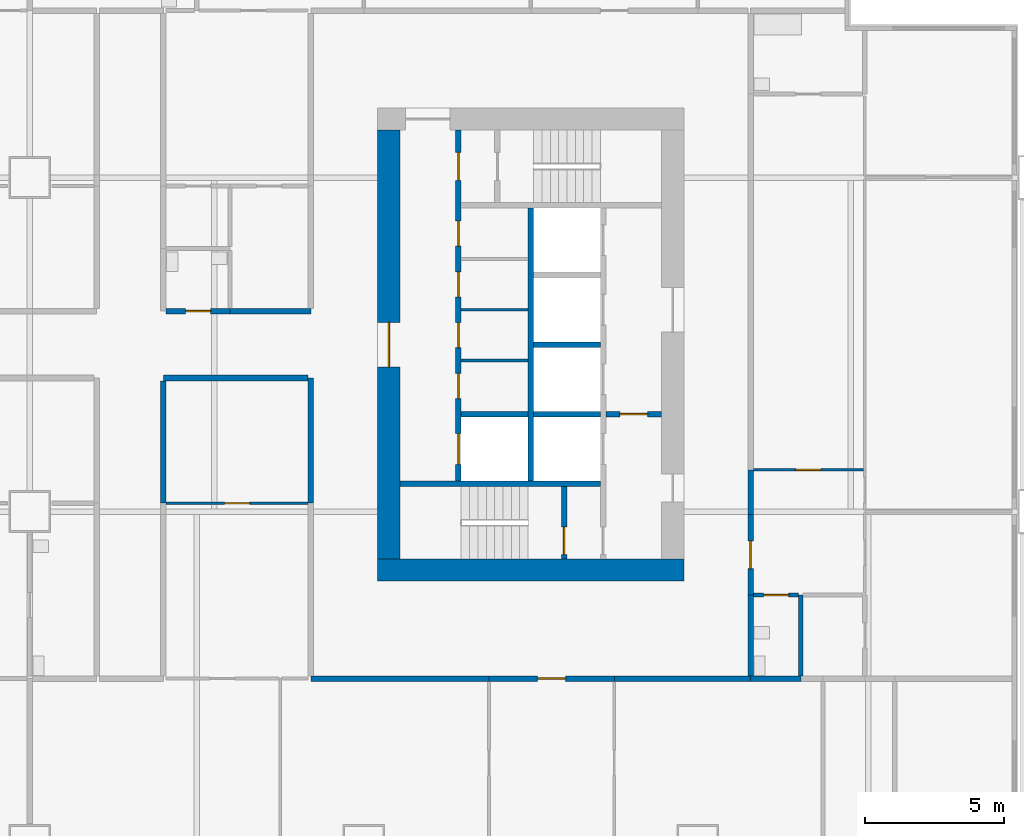
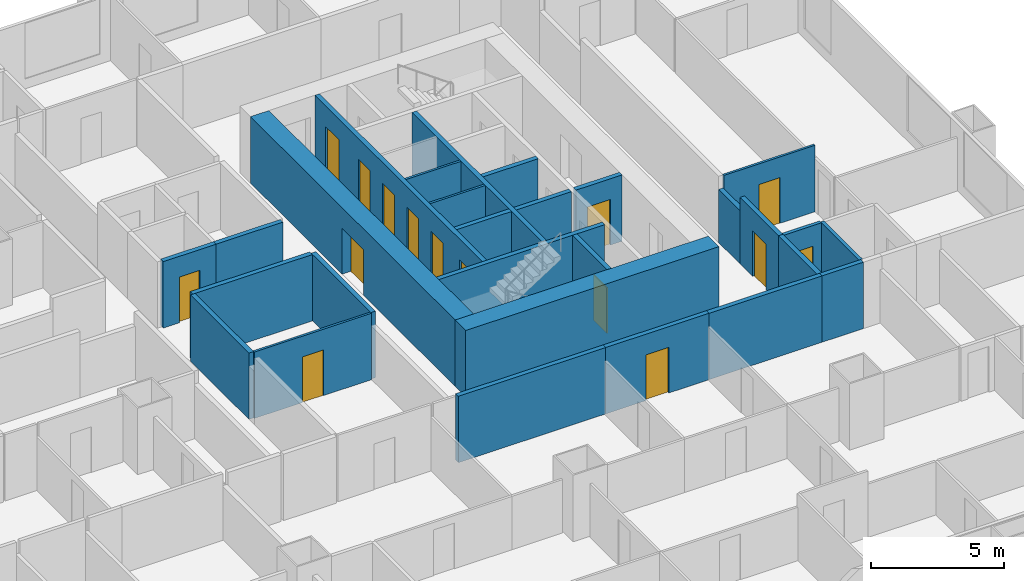
# One storey, part 6 of 13: 28 walls, 15 doors, 15 openings.
"""IFC4 building model written with IfcOpenShell, lengths in metres."""

from ifc_helpers import new_model, si_unit, direction, frame, frame_2d, origin, place, context, subcontext, project, spatial, rectangle, extrude, material, layer, layer_set, type_object, element, fill, save


model = new_model("IFC4")

# Units and contexts
model_context = context("Model", 3, precision=1e-05, world=origin(), true_north=direction((0.0, 1.0)))
body_context = subcontext(model_context, "Body", "Model", "MODEL_VIEW")
ifc_project = project(units=[si_unit("LENGTHUNIT", "METRE"), si_unit("AREAUNIT", "SQUARE_METRE"), si_unit("VOLUMEUNIT", "CUBIC_METRE"), si_unit("PLANEANGLEUNIT", "RADIAN"), si_unit("MASSUNIT", "GRAM", prefix="KILO")], contexts=[model_context])

# Site, building, storey
site_placement = place(None, origin())
site = spatial("IfcSite", under=ifc_project, at=site_placement, CompositionType="ELEMENT")
building_placement = place(site_placement, origin())
building = spatial("IfcBuilding", under=site, at=building_placement, Name="Kitamizu Gate Tower and Museum", CompositionType="ELEMENT")
storey_placement = place(building_placement, frame((0.0, 0.0, 78.300048828125)))
storey = spatial("IfcBuildingStorey", under=building, at=storey_placement, Name="L19", CompositionType="ELEMENT", Elevation=78.300048828125)

# Wall
ifc_material_1 = material(Name="Concrete Fc60", Category="concrete")
ifc_layer_1 = layer(ifc_material_1, 0.800048828125)
ifc_layer_set_1 = layer_set([ifc_layer_1], Name="Concrete Fc60")
wall_type_1 = type_object("IfcWallType", Name="Core wall 800", PredefinedType="SHEAR", material=ifc_layer_set_1)
wall_1_placement = place(storey_placement, frame((59.5, 21.89990234375, 0.0), z_axis=(0.0, 0.0, 1.0), x_axis=(-1.0, 0.0, 0.0)))
element("IfcWall", 1, at=wall_1_placement, inside=storey, type_object=wall_type_1, Name="Core wall ES", PredefinedType="SHEAR", context=body_context, shape_type="SweptSolid", body=[
    extrude(rectangle(XDim=11.0, YDim=0.800048828125, at=frame_2d((5.5, 0.0))), origin(), (0.0, 0.0, 1.0), 3.050048828125),
])

# Wall, opening, door
wall_2_placement = place(storey_placement, frame((48.89990234375, 22.300048828125, 0.0), z_axis=(0.0, 0.0, 1.0), x_axis=(0.0, 1.0, 0.0)))
wall_2 = element("IfcWall", 2, at=wall_2_placement, inside=storey, type_object=wall_type_1, Name="Core wall EARC", PredefinedType="SHEAR", context=body_context, shape_type="SweptSolid", body=[
    extrude(rectangle(XDim=15.39990234375, YDim=0.800048828125, at=frame_2d((7.699951171875, 0.0))), origin(), (0.0, 0.0, 1.0), 3.050048828125),
])
opening_1_placement = place(wall_2_placement, frame((6.89990234375, 0.0, 0.0)))
opening_1 = element("IfcOpeningElement", 3, at=opening_1_placement, cuts=wall_2, Name="Opening L19-092", PredefinedType="OPENING", context=body_context, shape_type="SweptSolid", body=[
    extrude(rectangle(XDim=1.60009765625, YDim=2.10009765625, at=frame_2d((0.800048828125, 1.050048828125))), frame((0.0, 0.41015625, 0.0), z_axis=(0.0, -1.0, 0.0), x_axis=(1.0, 0.0, 0.0)), (0.0, 0.0, 1.0), 0.820068359375),
])
ifc_material_2 = material(Name="Timber door set", Category="wood")
door_type_1 = type_object("IfcDoorType", Name="Entrance door 1600", OperationType="DOUBLE_DOOR_SINGLE_SWING", PredefinedType="DOOR", material=ifc_material_2)
door_1_placement = place(opening_1_placement, origin())
door_1 = element("IfcDoor", 4, at=door_1_placement, inside=storey, type_object=door_type_1, Name="Lobby door L19-092", OperationType="DOUBLE_DOOR_SINGLE_SWING", OverallHeight=2.10009765625, OverallWidth=1.60009765625, PredefinedType="DOOR", context=body_context, shape_type="SweptSolid", body=[
    extrude(rectangle(XDim=1.60009765625, YDim=2.10009765625, at=frame_2d((0.800048828125, 1.050048828125))), frame((0.0, 0.02490234375, 0.0), z_axis=(0.0, -1.0, 0.0), x_axis=(1.0, 0.0, 0.0)), (0.0, 0.0, 1.0), 0.050048828125),
])
fill(opening_1, door_1)

# Walls
ifc_material_3 = material(Name="Gypsum board on galvanised stud")
ifc_layer_2 = layer(ifc_material_3, 0.10009765625)
ifc_layer_set_2 = layer_set([ifc_layer_2], Name="Gypsum board on galvanised stud")
wall_type_2 = type_object("IfcWallType", Name="Partition 100", PredefinedType="PARTITIONING", material=ifc_layer_set_2)
for number, where, z_axis, x_axis, name in (
    (5, (53.89990234375, 29.425048828125, 0.0), (0.0, 0.0, 1.0), (-1.0, 0.0, 0.0), "Partition EPF1"),
    (6, (53.89990234375, 31.25, 0.0), (0.0, 0.0, 1.0), (-1.0, 0.0, 0.0), "Partition EPF2"),
):
    element("IfcWall", number, at=place(storey_placement, frame(where, z_axis=z_axis, x_axis=x_axis)), inside=storey, type_object=wall_type_2, Name=name, PredefinedType="PARTITIONING", context=body_context, shape_type="SweptSolid", body=[
        extrude(rectangle(XDim=2.39990234375, YDim=0.10009765625, at=frame_2d((1.199951171875, 0.0))), origin(), (0.0, 0.0, 1.0), 3.050048828125),
    ])

# Wall, opening, door
ifc_material_4 = material(Name="Gypsum board on galvanised stud")
ifc_layer_3 = layer(ifc_material_4, 0.10009765625)
ifc_layer_set_3 = layer_set([ifc_layer_3], Name="Gypsum board on galvanised stud")
wall_type_3 = type_object("IfcWallType", Name="Partition 100 NOT RATED", PredefinedType="PARTITIONING", material=ifc_layer_set_3)
wall_3_placement = place(storey_placement, frame((46.0, 24.300048828125, 0.0), z_axis=(0.0, 0.0, 1.0), x_axis=(-1.0, 0.0, 0.0)))
wall_3 = element("IfcWall", 7, at=wall_3_placement, inside=storey, type_object=wall_type_3, Name="Partition L19-113", PredefinedType="PARTITIONING", context=body_context, shape_type="SweptSolid", body=[
    extrude(rectangle(XDim=5.10009765625, YDim=0.10009765625, at=frame_2d((2.550048828125, 0.0))), origin(), (0.0, 0.0, 1.0), 3.050048828125),
])
opening_2_placement = place(wall_3_placement, frame((2.10009765625, 0.0, 0.0)))
opening_2 = element("IfcOpeningElement", 8, at=opening_2_placement, cuts=wall_3, Name="Opening L19-042", PredefinedType="OPENING", context=body_context, shape_type="SweptSolid", body=[
    extrude(rectangle(XDim=0.89990234375, YDim=2.10009765625, at=frame_2d((0.449951171875, 1.050048828125))), frame((0.0, 0.06005859375, 0.0), z_axis=(0.0, -1.0, 0.0), x_axis=(1.0, 0.0, 0.0)), (0.0, 0.0, 1.0), 0.1201171875),
])
ifc_material_5 = material(Name="Timber door set", Category="wood")
door_type_2 = type_object("IfcDoorType", Name="Room door 900", OperationType="NOTDEFINED", PredefinedType="DOOR", material=ifc_material_5)
door_2_placement = place(opening_2_placement, frame((0.89990234375, 0.0, 0.0), x_axis=(-1.0, 0.0, 0.0)))
door_2 = element("IfcDoor", 9, at=door_2_placement, inside=storey, type_object=door_type_2, Name="Door L19-042", OperationType="SINGLE_SWING_RIGHT", OverallHeight=2.10009765625, OverallWidth=0.89990234375, PredefinedType="DOOR", context=body_context, shape_type="SweptSolid", body=[
    extrude(rectangle(XDim=0.89990234375, YDim=2.10009765625, at=frame_2d((0.449951171875, 1.050048828125))), frame((0.0, 0.02490234375, 0.0), z_axis=(0.0, -1.0, 0.0), x_axis=(1.0, 0.0, 0.0)), (0.0, 0.0, 1.0), 0.050048828125),
])
fill(opening_2, door_2)

wall_4_placement = place(storey_placement, frame((65.949951171875, 25.5, 0.0), z_axis=(0.0, 0.0, 1.0), x_axis=(-1.0, 0.0, 0.0)))
wall_4 = element("IfcWall", 10, at=wall_4_placement, inside=storey, type_object=wall_type_3, Name="Partition L19-132", PredefinedType="PARTITIONING", context=body_context, shape_type="SweptSolid", body=[
    extrude(rectangle(XDim=3.949951171875, YDim=0.10009765625, at=frame_2d((1.97509765625, 0.0))), origin(), (0.0, 0.0, 1.0), 3.050048828125),
])
opening_3_placement = place(wall_4_placement, frame((1.52490234375, 0.0, 0.0)))
opening_3 = element("IfcOpeningElement", 11, at=opening_3_placement, cuts=wall_4, Name="Opening L19-046", PredefinedType="OPENING", context=body_context, shape_type="SweptSolid", body=[
    extrude(rectangle(XDim=0.89990234375, YDim=2.10009765625, at=frame_2d((0.449951171875, 1.050048828125))), frame((0.0, 0.06005859375, 0.0), z_axis=(0.0, -1.0, 0.0), x_axis=(1.0, 0.0, 0.0)), (0.0, 0.0, 1.0), 0.1201171875),
])
door_3_placement = place(opening_3_placement, origin())
door_3 = element("IfcDoor", 12, at=door_3_placement, inside=storey, type_object=door_type_2, Name="Door L19-046", OperationType="SINGLE_SWING_RIGHT", OverallHeight=2.10009765625, OverallWidth=0.89990234375, PredefinedType="DOOR", context=body_context, shape_type="SweptSolid", body=[
    extrude(rectangle(XDim=0.89990234375, YDim=2.10009765625, at=frame_2d((0.449951171875, 1.050048828125))), frame((0.0, 0.02490234375, 0.0), z_axis=(0.0, -1.0, 0.0), x_axis=(1.0, 0.0, 0.0)), (0.0, 0.0, 1.0), 0.050048828125),
])
fill(opening_3, door_3)

# Wall
ifc_material_6 = material(Name="Gypsum board on galvanised stud")
ifc_layer_4 = layer(ifc_material_6, 0.14990234375)
ifc_layer_set_4 = layer_set([ifc_layer_4], Name="Gypsum board on galvanised stud")
wall_type_4 = type_object("IfcWallType", Name="Partition 150", PredefinedType="PARTITIONING", material=ifc_layer_set_4)
wall_5_placement = place(storey_placement, frame((63.699951171875, 18.10009765625, 0.0), z_axis=(0.0, 0.0, 1.0), x_axis=(0.0, 1.0, 0.0)))
element("IfcWall", 13, at=wall_5_placement, inside=storey, type_object=wall_type_4, Name="Partition L19-128", PredefinedType="PARTITIONING", context=body_context, shape_type="SweptSolid", body=[
    extrude(rectangle(XDim=2.89990234375, YDim=0.14990234375, at=frame_2d((1.449951171875, 0.0))), origin(), (0.0, 0.0, 1.0), 3.050048828125),
])

# Wall, opening, door
wall_6_placement = place(storey_placement, frame((63.625, 21.0, 0.0), z_axis=(0.0, 0.0, 1.0), x_axis=(-1.0, 0.0, 0.0)))
wall_6 = element("IfcWall", 14, at=wall_6_placement, inside=storey, type_object=wall_type_4, Name="Partition L19-129", PredefinedType="PARTITIONING", context=body_context, shape_type="SweptSolid", body=[
    extrude(rectangle(XDim=1.625, YDim=0.14990234375, at=frame_2d((0.8125, 0.0))), origin(), (0.0, 0.0, 1.0), 3.050048828125),
])
opening_4_placement = place(wall_6_placement, frame((0.362548828125, 0.0, 0.0)))
opening_4 = element("IfcOpeningElement", 15, at=opening_4_placement, cuts=wall_6, Name="Opening L19-048", PredefinedType="OPENING", context=body_context, shape_type="SweptSolid", body=[
    extrude(rectangle(XDim=0.89990234375, YDim=2.10009765625, at=frame_2d((0.449951171875, 1.050048828125))), frame((0.0, 0.0849609375, 0.0), z_axis=(0.0, -1.0, 0.0), x_axis=(1.0, 0.0, 0.0)), (0.0, 0.0, 1.0), 0.169921875),
])
ifc_material_7 = material(Name="Timber door set", Category="wood")
door_type_3 = type_object("IfcDoorType", Name="Bathroom door 900", OperationType="NOTDEFINED", PredefinedType="DOOR", material=ifc_material_7)
door_4_placement = place(opening_4_placement, origin())
door_4 = element("IfcDoor", 16, at=door_4_placement, inside=storey, type_object=door_type_3, Name="Bathroom door L19-048", OperationType="SINGLE_SWING_RIGHT", OverallHeight=2.10009765625, OverallWidth=0.89990234375, PredefinedType="DOOR", context=body_context, shape_type="SweptSolid", body=[
    extrude(rectangle(XDim=0.89990234375, YDim=2.10009765625, at=frame_2d((0.449951171875, 1.050048828125))), frame((0.0, 0.02490234375, 0.0), z_axis=(0.0, -1.0, 0.0), x_axis=(1.0, 0.0, 0.0)), (0.0, 0.0, 1.0), 0.050048828125),
])
fill(opening_4, door_4)

# Wall
ifc_material_8 = material(Name="Gypsum board on galvanised stud")
ifc_layer_5 = layer(ifc_material_8, 0.199951171875)
ifc_layer_set_5 = layer_set([ifc_layer_5], Name="Gypsum board on galvanised stud")
wall_type_5 = type_object("IfcWallType", Name="Partition 200", PredefinedType="PARTITIONING", material=ifc_layer_set_5)
wall_7_placement = place(storey_placement, frame((52.5, 18.0, 0.0), z_axis=(0.0, 0.0, 1.0), x_axis=(-1.0, 0.0, 0.0)))
element("IfcWall", 17, at=wall_7_placement, inside=storey, type_object=wall_type_5, Name="Partition L19-102", PredefinedType="PARTITIONING", context=body_context, shape_type="SweptSolid", body=[
    extrude(rectangle(XDim=6.39990234375, YDim=0.199951171875, at=frame_2d((3.199951171875, 0.0))), origin(), (0.0, 0.0, 1.0), 3.050048828125),
])

# Wall, opening, door
wall_8_placement = place(storey_placement, frame((57.0, 18.0, 0.0), z_axis=(0.0, 0.0, 1.0), x_axis=(-1.0, 0.0, 0.0)))
wall_8 = element("IfcWall", 18, at=wall_8_placement, inside=storey, type_object=wall_type_5, Name="Partition L19-104", PredefinedType="PARTITIONING", context=body_context, shape_type="SweptSolid", body=[
    extrude(rectangle(XDim=4.5, YDim=0.199951171875, at=frame_2d((2.25, 0.0))), origin(), (0.0, 0.0, 1.0), 3.050048828125),
])
opening_5_placement = place(wall_8_placement, frame((1.75, 0.0, 0.0)))
opening_5 = element("IfcOpeningElement", 19, at=opening_5_placement, cuts=wall_8, Name="Opening L19-026", PredefinedType="OPENING", context=body_context, shape_type="SweptSolid", body=[
    extrude(rectangle(XDim=1.0, YDim=2.10009765625, at=frame_2d((0.5, 1.050048828125))), frame((0.0, 0.10986328125, 0.0), z_axis=(0.0, -1.0, 0.0), x_axis=(1.0, 0.0, 0.0)), (0.0, 0.0, 1.0), 0.219970703125),
])
ifc_material_9 = material(Name="Timber door set", Category="wood")
door_type_4 = type_object("IfcDoorType", Name="Flat entrance door 1000", OperationType="NOTDEFINED", PredefinedType="DOOR", material=ifc_material_9)
door_5_placement = place(opening_5_placement, origin())
door_5 = element("IfcDoor", 20, at=door_5_placement, inside=storey, type_object=door_type_4, Name="Flat entrance door L19-026", OperationType="SINGLE_SWING_LEFT", OverallHeight=2.10009765625, OverallWidth=1.0, PredefinedType="DOOR", context=body_context, shape_type="SweptSolid", body=[
    extrude(rectangle(XDim=1.0, YDim=2.10009765625, at=frame_2d((0.5, 1.050048828125))), frame((0.0, 0.02490234375, 0.0), z_axis=(0.0, -1.0, 0.0), x_axis=(1.0, 0.0, 0.0)), (0.0, 0.0, 1.0), 0.050048828125),
])
fill(opening_5, door_5)

# Walls
wall_9_placement = place(storey_placement, frame((63.699951171875, 18.0, 0.0), z_axis=(0.0, 0.0, 1.0), x_axis=(-1.0, 0.0, 0.0)))
element("IfcWall", 21, at=wall_9_placement, inside=storey, type_object=wall_type_5, Name="Partition L19-106", PredefinedType="PARTITIONING", context=body_context, shape_type="SweptSolid", body=[
    extrude(rectangle(XDim=1.800048828125, YDim=0.199951171875, at=frame_2d((0.89990234375, 0.0))), origin(), (0.0, 0.0, 1.0), 3.050048828125),
])
wall_10_placement = place(storey_placement, frame((61.89990234375, 18.0, 0.0), z_axis=(0.0, 0.0, 1.0), x_axis=(-1.0, 0.0, 0.0)))
element("IfcWall", 22, at=wall_10_placement, inside=storey, type_object=wall_type_5, Name="Partition L19-108", PredefinedType="PARTITIONING", context=body_context, shape_type="SweptSolid", body=[
    extrude(rectangle(XDim=4.89990234375, YDim=0.199951171875, at=frame_2d((2.449951171875, 0.0))), origin(), (0.0, 0.0, 1.0), 3.050048828125),
])
wall_11_placement = place(storey_placement, frame((46.10009765625, 24.300048828125, 0.0), z_axis=(0.0, 0.0, 1.0), x_axis=(0.0, 1.0, 0.0)))
element("IfcWall", 23, at=wall_11_placement, inside=storey, type_object=wall_type_5, Name="Partition L19-117", PredefinedType="PARTITIONING", context=body_context, shape_type="SweptSolid", body=[
    extrude(rectangle(XDim=4.5, YDim=0.199951171875, at=frame_2d((2.25, 0.0))), origin(), (0.0, 0.0, 1.0), 3.050048828125),
])
wall_12_placement = place(storey_placement, frame((46.0, 28.800048828125, 0.0), z_axis=(0.0, 0.0, 1.0), x_axis=(-1.0, 0.0, 0.0)))
element("IfcWall", 24, at=wall_12_placement, inside=storey, type_object=wall_type_5, Name="Partition L19-118", PredefinedType="PARTITIONING", context=body_context, shape_type="SweptSolid", body=[
    extrude(rectangle(XDim=5.199951171875, YDim=0.199951171875, at=frame_2d((2.60009765625, 0.0))), origin(), (0.0, 0.0, 1.0), 3.050048828125),
])
wall_13_placement = place(storey_placement, frame((40.800048828125, 28.699951171875, 0.0), z_axis=(0.0, 0.0, 1.0), x_axis=(0.0, -1.0, 0.0)))
element("IfcWall", 25, at=wall_13_placement, inside=storey, type_object=wall_type_5, Name="Partition L19-119", PredefinedType="PARTITIONING", context=body_context, shape_type="SweptSolid", body=[
    extrude(rectangle(XDim=4.39990234375, YDim=0.199951171875, at=frame_2d((2.199951171875, 0.0))), origin(), (0.0, 0.0, 1.0), 3.050048828125),
])
wall_14_placement = place(storey_placement, frame((61.89990234375, 21.0, 0.0), z_axis=(0.0, 0.0, 1.0), x_axis=(0.0, -1.0, 0.0)))
element("IfcWall", 26, at=wall_14_placement, inside=storey, type_object=wall_type_5, Name="Partition L19-130", PredefinedType="PARTITIONING", context=body_context, shape_type="SweptSolid", body=[
    extrude(rectangle(XDim=2.89990234375, YDim=0.199951171875, at=frame_2d((1.449951171875, 0.0))), origin(), (0.0, 0.0, 1.0), 3.050048828125),
])
wall_15_placement = place(storey_placement, frame((61.89990234375, 25.5, 0.0), z_axis=(0.0, 0.0, 1.0), x_axis=(0.0, -1.0, 0.0)))
element("IfcWall", 27, at=wall_15_placement, inside=storey, type_object=wall_type_5, Name="Partition L19-133", PredefinedType="PARTITIONING", context=body_context, shape_type="SweptSolid", body=[
    extrude(rectangle(XDim=1.60009765625, YDim=0.199951171875, at=frame_2d((0.800048828125, 0.0))), origin(), (0.0, 0.0, 1.0), 2.449951171875),
])

# Wall, opening, door
wall_16_placement = place(storey_placement, frame((61.89990234375, 23.89990234375, 0.0), z_axis=(0.0, 0.0, 1.0), x_axis=(0.0, -1.0, 0.0)))
wall_16 = element("IfcWall", 28, at=wall_16_placement, inside=storey, type_object=wall_type_5, Name="Partition L19-134", PredefinedType="PARTITIONING", context=body_context, shape_type="SweptSolid", body=[
    extrude(rectangle(XDim=2.89990234375, YDim=0.199951171875, at=frame_2d((1.449951171875, 0.0))), origin(), (0.0, 0.0, 1.0), 3.050048828125),
])
opening_6_placement = place(wall_16_placement, frame((0.949951171875, 0.0, 0.0)))
opening_6 = element("IfcOpeningElement", 29, at=opening_6_placement, cuts=wall_16, Name="Opening L19-043", PredefinedType="OPENING", context=body_context, shape_type="SweptSolid", body=[
    extrude(rectangle(XDim=1.0, YDim=2.10009765625, at=frame_2d((0.5, 1.050048828125))), frame((0.0, 0.10986328125, 0.0), z_axis=(0.0, -1.0, 0.0), x_axis=(1.0, 0.0, 0.0)), (0.0, 0.0, 1.0), 0.219970703125),
])
door_6_placement = place(opening_6_placement, origin())
door_6 = element("IfcDoor", 30, at=door_6_placement, inside=storey, type_object=door_type_4, Name="Flat entrance door L19-043", OperationType="SINGLE_SWING_LEFT", OverallHeight=2.10009765625, OverallWidth=1.0, PredefinedType="DOOR", context=body_context, shape_type="SweptSolid", body=[
    extrude(rectangle(XDim=1.0, YDim=2.10009765625, at=frame_2d((0.5, 1.050048828125))), frame((0.0, 0.02490234375, 0.0), z_axis=(0.0, -1.0, 0.0), x_axis=(1.0, 0.0, 0.0)), (0.0, 0.0, 1.0), 0.050048828125),
])
fill(opening_6, door_6)

wall_17_placement = place(storey_placement, frame((40.89990234375, 31.199951171875, 0.0), z_axis=(0.0, 0.0, 1.0), x_axis=(1.0, 0.0, 0.0)))
wall_17 = element("IfcWall", 31, at=wall_17_placement, inside=storey, type_object=wall_type_5, Name="Partition L19-192", PredefinedType="PARTITIONING", context=body_context, shape_type="SweptSolid", body=[
    extrude(rectangle(XDim=2.300048828125, YDim=0.199951171875, at=frame_2d((1.14990234375, 0.0))), origin(), (0.0, 0.0, 1.0), 3.050048828125),
])
opening_7_placement = place(wall_17_placement, frame((0.699951171875, 0.0, 0.0)))
opening_7 = element("IfcOpeningElement", 32, at=opening_7_placement, cuts=wall_17, Name="Opening L19-070", PredefinedType="OPENING", context=body_context, shape_type="SweptSolid", body=[
    extrude(rectangle(XDim=0.89990234375, YDim=2.10009765625, at=frame_2d((0.449951171875, 1.050048828125))), frame((0.0, 0.10986328125, 0.0), z_axis=(0.0, -1.0, 0.0), x_axis=(1.0, 0.0, 0.0)), (0.0, 0.0, 1.0), 0.219970703125),
])
ifc_material_10 = material(Name="Timber door set", Category="wood")
door_type_5 = type_object("IfcDoorType", Name="Store door 900", OperationType="NOTDEFINED", PredefinedType="DOOR", material=ifc_material_10)
door_7_placement = place(opening_7_placement, origin())
door_7 = element("IfcDoor", 33, at=door_7_placement, inside=storey, type_object=door_type_5, Name="Service entrance door L19-070", OperationType="SINGLE_SWING_LEFT", OverallHeight=2.10009765625, OverallWidth=0.89990234375, PredefinedType="DOOR", context=body_context, shape_type="SweptSolid", body=[
    extrude(rectangle(XDim=0.89990234375, YDim=2.10009765625, at=frame_2d((0.449951171875, 1.050048828125))), frame((0.0, 0.02490234375, 0.0), z_axis=(0.0, -1.0, 0.0), x_axis=(1.0, 0.0, 0.0)), (0.0, 0.0, 1.0), 0.050048828125),
])
fill(opening_7, door_7)

# Wall
wall_18_placement = place(storey_placement, frame((43.199951171875, 31.199951171875, 0.0), z_axis=(0.0, 0.0, 1.0), x_axis=(1.0, 0.0, 0.0)))
element("IfcWall", 34, at=wall_18_placement, inside=storey, type_object=wall_type_5, Name="Partition L19-195", PredefinedType="PARTITIONING", context=body_context, shape_type="SweptSolid", body=[
    extrude(rectangle(XDim=2.900146484375, YDim=0.199951171875, at=frame_2d((1.4501953125, 0.0))), origin(), (0.0, 0.0, 1.0), 3.050048828125),
])

# Wall, openings, doors
ifc_material_11 = material(Name="Concrete Fc42", Category="concrete")
ifc_layer_6 = layer(ifc_material_11, 0.199951171875)
ifc_layer_set_6 = layer_set([ifc_layer_6], Name="Concrete Fc42")
wall_type_6 = type_object("IfcWallType", Name="Shaft wall 200", PredefinedType="SOLIDWALL", material=ifc_layer_set_6)
wall_19_placement = place(storey_placement, frame((51.39990234375, 25.10009765625, 0.0), z_axis=(0.0, 0.0, 1.0), x_axis=(0.0, 1.0, 0.0)))
wall_19 = element("IfcWall", 35, at=wall_19_placement, inside=storey, type_object=wall_type_6, Name="Shaft wall EEAST", PredefinedType="SOLIDWALL", context=body_context, shape_type="SweptSolid", body=[
    extrude(rectangle(XDim=12.599853515625, YDim=0.199951171875, at=frame_2d((6.2998046875, 0.0))), origin(), (0.0, 0.0, 1.0), 3.050048828125),
])
opening_8_placement = place(wall_19_placement, frame((0.60009765625, 0.0, 0.0)))
opening_8 = element("IfcOpeningElement", 36, at=opening_8_placement, cuts=wall_19, Name="Opening LD", PredefinedType="OPENING", context=body_context, shape_type="SweptSolid", body=[
    extrude(rectangle(XDim=1.10009765625, YDim=2.10009765625, at=frame_2d((0.550048828125, 1.050048828125))), frame((0.0, 0.10986328125, 0.0), z_axis=(0.0, -1.0, 0.0), x_axis=(1.0, 0.0, 0.0)), (0.0, 0.0, 1.0), 0.219970703125),
])
opening_9_placement = place(wall_19_placement, frame((10.800048828125, 0.0, 0.0)))
opening_9 = element("IfcOpeningElement", 37, at=opening_9_placement, cuts=wall_19, Name="Opening L19-086", PredefinedType="OPENING", context=body_context, shape_type="SweptSolid", body=[
    extrude(rectangle(XDim=1.0, YDim=2.10009765625, at=frame_2d((0.5, 1.050048828125))), frame((0.0, 0.10986328125, 0.0), z_axis=(0.0, -1.0, 0.0), x_axis=(1.0, 0.0, 0.0)), (0.0, 0.0, 1.0), 0.219970703125),
])
opening_10_placement = place(wall_19_placement, frame((2.96240234375, 0.0, 0.0)))
opening_10 = element("IfcOpeningElement", 38, at=opening_10_placement, cuts=wall_19, Name="Opening L19-093", PredefinedType="OPENING", context=body_context, shape_type="SweptSolid", body=[
    extrude(rectangle(XDim=0.89990234375, YDim=2.10009765625, at=frame_2d((0.449951171875, 1.050048828125))), frame((0.0, 0.10986328125, 0.0), z_axis=(0.0, -1.0, 0.0), x_axis=(1.0, 0.0, 0.0)), (0.0, 0.0, 1.0), 0.219970703125),
])
opening_11_placement = place(wall_19_placement, frame((4.78759765625, 0.0, 0.0)))
opening_11 = element("IfcOpeningElement", 39, at=opening_11_placement, cuts=wall_19, Name="Opening L19-094", PredefinedType="OPENING", context=body_context, shape_type="SweptSolid", body=[
    extrude(rectangle(XDim=0.89990234375, YDim=2.10009765625, at=frame_2d((0.449951171875, 1.050048828125))), frame((0.0, 0.10986328125, 0.0), z_axis=(0.0, -1.0, 0.0), x_axis=(1.0, 0.0, 0.0)), (0.0, 0.0, 1.0), 0.219970703125),
])
opening_12_placement = place(wall_19_placement, frame((6.612548828125, 0.0, 0.0)))
opening_12 = element("IfcOpeningElement", 40, at=opening_12_placement, cuts=wall_19, Name="Opening L19-095", PredefinedType="OPENING", context=body_context, shape_type="SweptSolid", body=[
    extrude(rectangle(XDim=0.89990234375, YDim=2.10009765625, at=frame_2d((0.449951171875, 1.050048828125))), frame((0.0, 0.10986328125, 0.0), z_axis=(0.0, -1.0, 0.0), x_axis=(1.0, 0.0, 0.0)), (0.0, 0.0, 1.0), 0.219970703125),
])
opening_13_placement = place(wall_19_placement, frame((8.4375, 0.0, 0.0)))
opening_13 = element("IfcOpeningElement", 41, at=opening_13_placement, cuts=wall_19, Name="Opening L19-096", PredefinedType="OPENING", context=body_context, shape_type="SweptSolid", body=[
    extrude(rectangle(XDim=0.89990234375, YDim=2.10009765625, at=frame_2d((0.449951171875, 1.050048828125))), frame((0.0, 0.10986328125, 0.0), z_axis=(0.0, -1.0, 0.0), x_axis=(1.0, 0.0, 0.0)), (0.0, 0.0, 1.0), 0.219970703125),
])
ifc_material_12 = material(Name="Hollow metal door set")
door_type_6 = type_object("IfcDoorType", Name="Fire door 1000", OperationType="NOTDEFINED", PredefinedType="DOOR", material=ifc_material_12)
door_8_placement = place(opening_9_placement, frame((1.0, 0.0, 0.0), x_axis=(-1.0, 0.0, 0.0)))
door_8 = element("IfcDoor", 42, at=door_8_placement, inside=storey, type_object=door_type_6, Name="Stair lobby door L19-086", OperationType="SINGLE_SWING_LEFT", OverallHeight=2.10009765625, OverallWidth=1.0, PredefinedType="DOOR", context=body_context, shape_type="SweptSolid", body=[
    extrude(rectangle(XDim=1.0, YDim=2.10009765625, at=frame_2d((0.5, 1.050048828125))), frame((0.0, 0.02490234375, 0.0), z_axis=(0.0, -1.0, 0.0), x_axis=(1.0, 0.0, 0.0)), (0.0, 0.0, 1.0), 0.050048828125),
])
fill(opening_9, door_8)
ifc_material_13 = material(Name="Hollow metal door set")
door_type_7 = type_object("IfcDoorType", Name="Landing door 1100", OperationType="SLIDING_TO_LEFT", PredefinedType="DOOR", material=ifc_material_13)
door_9_placement = place(opening_8_placement, origin())
door_9 = element("IfcDoor", 43, at=door_9_placement, inside=storey, type_object=door_type_7, Name="Landing door ESV1", OperationType="SLIDING_TO_LEFT", OverallHeight=2.10009765625, OverallWidth=1.10009765625, PredefinedType="DOOR", context=body_context, shape_type="SweptSolid", body=[
    extrude(rectangle(XDim=1.10009765625, YDim=2.10009765625, at=frame_2d((0.550048828125, 1.050048828125))), frame((0.0, 0.02490234375, 0.0), z_axis=(0.0, -1.0, 0.0), x_axis=(1.0, 0.0, 0.0)), (0.0, 0.0, 1.0), 0.050048828125),
])
fill(opening_8, door_9)
ifc_material_14 = material(Name="Timber door set", Category="wood")
door_type_8 = type_object("IfcDoorType", Name="Service door 900", OperationType="NOTDEFINED", PredefinedType="DOOR", material=ifc_material_14)
door_10_placement = place(opening_10_placement, frame((0.89990234375, 0.0, 0.0), x_axis=(-1.0, 0.0, 0.0)))
door_10 = element("IfcDoor", 44, at=door_10_placement, inside=storey, type_object=door_type_8, Name="Service door L19-093", OperationType="SINGLE_SWING_LEFT", OverallHeight=2.10009765625, OverallWidth=0.89990234375, PredefinedType="DOOR", context=body_context, shape_type="SweptSolid", body=[
    extrude(rectangle(XDim=0.89990234375, YDim=2.10009765625, at=frame_2d((0.449951171875, 1.050048828125))), frame((0.0, 0.02490234375, 0.0), z_axis=(0.0, -1.0, 0.0), x_axis=(1.0, 0.0, 0.0)), (0.0, 0.0, 1.0), 0.050048828125),
])
fill(opening_10, door_10)
door_11_placement = place(opening_11_placement, frame((0.89990234375, 0.0, 0.0), x_axis=(-1.0, 0.0, 0.0)))
door_11 = element("IfcDoor", 45, at=door_11_placement, inside=storey, type_object=door_type_8, Name="Service door L19-094", OperationType="SINGLE_SWING_RIGHT", OverallHeight=2.10009765625, OverallWidth=0.89990234375, PredefinedType="DOOR", context=body_context, shape_type="SweptSolid", body=[
    extrude(rectangle(XDim=0.89990234375, YDim=2.10009765625, at=frame_2d((0.449951171875, 1.050048828125))), frame((0.0, 0.02490234375, 0.0), z_axis=(0.0, -1.0, 0.0), x_axis=(1.0, 0.0, 0.0)), (0.0, 0.0, 1.0), 0.050048828125),
])
fill(opening_11, door_11)
door_12_placement = place(opening_12_placement, frame((0.89990234375, 0.0, 0.0), x_axis=(-1.0, 0.0, 0.0)))
door_12 = element("IfcDoor", 46, at=door_12_placement, inside=storey, type_object=door_type_8, Name="Service door L19-095", OperationType="SINGLE_SWING_LEFT", OverallHeight=2.10009765625, OverallWidth=0.89990234375, PredefinedType="DOOR", context=body_context, shape_type="SweptSolid", body=[
    extrude(rectangle(XDim=0.89990234375, YDim=2.10009765625, at=frame_2d((0.449951171875, 1.050048828125))), frame((0.0, 0.02490234375, 0.0), z_axis=(0.0, -1.0, 0.0), x_axis=(1.0, 0.0, 0.0)), (0.0, 0.0, 1.0), 0.050048828125),
])
fill(opening_12, door_12)
door_13_placement = place(opening_13_placement, frame((0.89990234375, 0.0, 0.0), x_axis=(-1.0, 0.0, 0.0)))
door_13 = element("IfcDoor", 47, at=door_13_placement, inside=storey, type_object=door_type_8, Name="Service door L19-096", OperationType="SINGLE_SWING_RIGHT", OverallHeight=2.10009765625, OverallWidth=0.89990234375, PredefinedType="DOOR", context=body_context, shape_type="SweptSolid", body=[
    extrude(rectangle(XDim=0.89990234375, YDim=2.10009765625, at=frame_2d((0.449951171875, 1.050048828125))), frame((0.0, 0.02490234375, 0.0), z_axis=(0.0, -1.0, 0.0), x_axis=(1.0, 0.0, 0.0)), (0.0, 0.0, 1.0), 0.050048828125),
])
fill(opening_13, door_13)

# Walls
wall_20_placement = place(storey_placement, frame((54.0, 25.10009765625, 0.0), z_axis=(0.0, 0.0, 1.0), x_axis=(0.0, 1.0, 0.0)))
element("IfcWall", 48, at=wall_20_placement, inside=storey, type_object=wall_type_6, Name="Shaft wall EMID", PredefinedType="SOLIDWALL", context=body_context, shape_type="SweptSolid", body=[
    extrude(rectangle(XDim=9.7998046875, YDim=0.199951171875, at=frame_2d((4.89990234375, 0.0))), origin(), (0.0, 0.0, 1.0), 3.050048828125),
])
wall_21_placement = place(storey_placement, frame((56.5, 25.0, 0.0), z_axis=(0.0, 0.0, 1.0), x_axis=(-1.0, 0.0, 0.0)))
element("IfcWall", 49, at=wall_21_placement, inside=storey, type_object=wall_type_6, Name="Shaft wall ESB", PredefinedType="SOLIDWALL", context=body_context, shape_type="SweptSolid", body=[
    extrude(rectangle(XDim=7.199951171875, YDim=0.199951171875, at=frame_2d((3.60009765625, 0.0))), origin(), (0.0, 0.0, 1.0), 3.050048828125),
])

# Wall, opening, door
wall_22_placement = place(storey_placement, frame((58.699951171875, 27.5, 0.0), z_axis=(0.0, 0.0, 1.0), x_axis=(-1.0, 0.0, 0.0)))
wall_22 = element("IfcWall", 50, at=wall_22_placement, inside=storey, type_object=wall_type_6, Name="Shaft wall EFFN", PredefinedType="SOLIDWALL", context=body_context, shape_type="SweptSolid", body=[
    extrude(rectangle(XDim=2.0, YDim=0.199951171875, at=frame_2d((1.0, 0.0))), origin(), (0.0, 0.0, 1.0), 3.050048828125),
])
opening_14_placement = place(wall_22_placement, frame((0.5, 0.0, 0.0)))
opening_14 = element("IfcOpeningElement", 51, at=opening_14_placement, cuts=wall_22, Name="Opening L19-088", PredefinedType="OPENING", context=body_context, shape_type="SweptSolid", body=[
    extrude(rectangle(XDim=1.0, YDim=2.10009765625, at=frame_2d((0.5, 1.050048828125))), frame((0.0, 0.10986328125, 0.0), z_axis=(0.0, -1.0, 0.0), x_axis=(1.0, 0.0, 0.0)), (0.0, 0.0, 1.0), 0.219970703125),
])
door_14_placement = place(opening_14_placement, origin())
door_14 = element("IfcDoor", 52, at=door_14_placement, inside=storey, type_object=door_type_6, Name="Fire-fighting lobby door L19-088", OperationType="SINGLE_SWING_RIGHT", OverallHeight=2.10009765625, OverallWidth=1.0, PredefinedType="DOOR", context=body_context, shape_type="SweptSolid", body=[
    extrude(rectangle(XDim=1.0, YDim=2.10009765625, at=frame_2d((0.5, 1.050048828125))), frame((0.0, 0.02490234375, 0.0), z_axis=(0.0, -1.0, 0.0), x_axis=(1.0, 0.0, 0.0)), (0.0, 0.0, 1.0), 0.050048828125),
])
fill(opening_14, door_14)

wall_23_placement = place(storey_placement, frame((55.199951171875, 22.300048828125, 0.0), z_axis=(0.0, 0.0, 1.0), x_axis=(0.0, 1.0, 0.0)))
wall_23 = element("IfcWall", 53, at=wall_23_placement, inside=storey, type_object=wall_type_6, Name="Shaft wall ESZ", PredefinedType="SOLIDWALL", context=body_context, shape_type="SweptSolid", body=[
    extrude(rectangle(XDim=2.599853515625, YDim=0.199951171875, at=frame_2d((1.2998046875, 0.0))), origin(), (0.0, 0.0, 1.0), 3.050048828125),
])
opening_15_placement = place(wall_23_placement, frame((0.14990234375, 0.0, 0.0)))
opening_15 = element("IfcOpeningElement", 54, at=opening_15_placement, cuts=wall_23, Name="Opening L19-084", PredefinedType="OPENING", context=body_context, shape_type="SweptSolid", body=[
    extrude(rectangle(XDim=1.0, YDim=2.10009765625, at=frame_2d((0.5, 1.050048828125))), frame((0.0, 0.10986328125, 0.0), z_axis=(0.0, -1.0, 0.0), x_axis=(1.0, 0.0, 0.0)), (0.0, 0.0, 1.0), 0.219970703125),
])
door_15_placement = place(opening_15_placement, origin())
door_15 = element("IfcDoor", 55, at=door_15_placement, inside=storey, type_object=door_type_6, Name="Stair door L19-084", OperationType="SINGLE_SWING_RIGHT", OverallHeight=2.10009765625, OverallWidth=1.0, PredefinedType="DOOR", context=body_context, shape_type="SweptSolid", body=[
    extrude(rectangle(XDim=1.0, YDim=2.10009765625, at=frame_2d((0.5, 1.050048828125))), frame((0.0, 0.02490234375, 0.0), z_axis=(0.0, -1.0, 0.0), x_axis=(1.0, 0.0, 0.0)), (0.0, 0.0, 1.0), 0.050048828125),
])
fill(opening_15, door_15)

# Walls
for number, where, z_axis, x_axis, name in (
    (56, (56.5, 27.5, 0.0), (0.0, 0.0, 1.0), (-1.0, 0.0, 0.0), "Shaft wall EDVW0"),
    (57, (56.5, 30.0, 0.0), (0.0, 0.0, 1.0), (-1.0, 0.0, 0.0), "Shaft wall EDVW1"),
    (58, (53.89990234375, 27.5, 0.0), (0.0, 0.0, 1.0), (-1.0, 0.0, 0.0), "Shaft wall EDVE0"),
):
    element("IfcWall", number, at=place(storey_placement, frame(where, z_axis=z_axis, x_axis=x_axis)), inside=storey, type_object=wall_type_6, Name=name, PredefinedType="SOLIDWALL", context=body_context, shape_type="SweptSolid", body=[
        extrude(rectangle(XDim=2.39990234375, YDim=0.199951171875, at=frame_2d((1.199951171875, 0.0))), origin(), (0.0, 0.0, 1.0), 3.050048828125),
    ])

save(model, "model.ifc")
